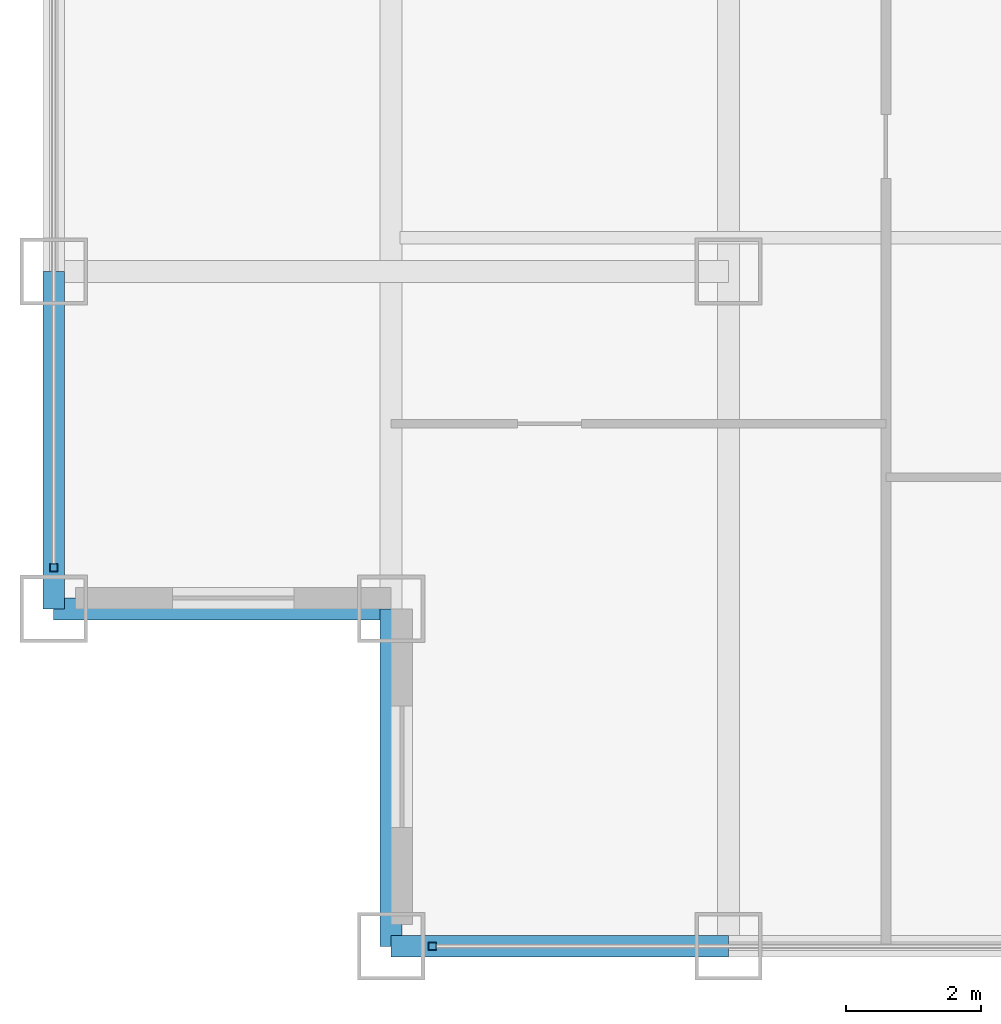
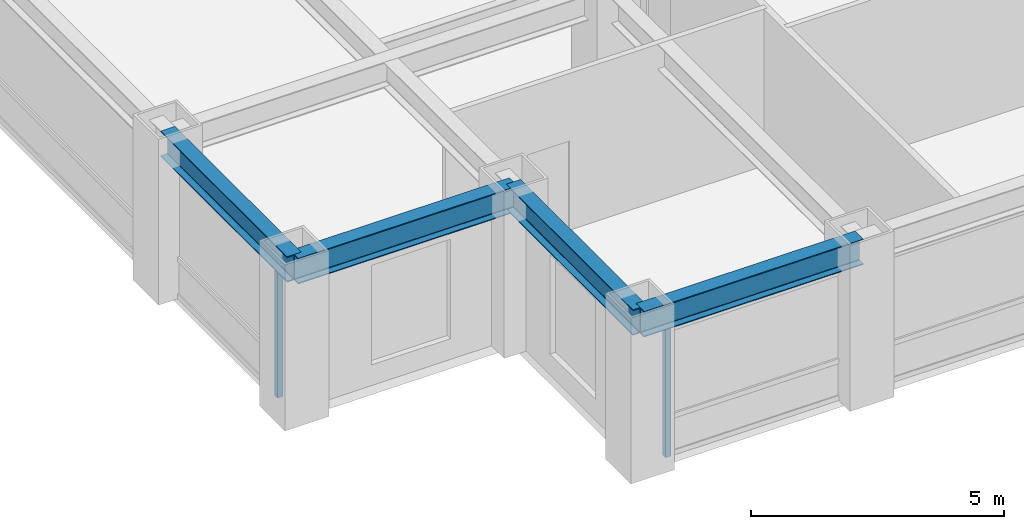
# One storey, part 2 of 24: 4 beams, 2 members, 2 elements without a shape of their own.
"""IFC4 building model written with IfcOpenShell, lengths in metres."""

from ifc_helpers import new_model, si_unit, direction, frame, origin, origin_2d, place, context, subcontext, project, spatial, hollow_rectangle, i_section, extrude, source, transform, mapped, material, material_profile, profile_set, type_object, element, aggregate, save


model = new_model("IFC4")

# Units and contexts
model_context = context("Model", 3, precision=1e-05, world=origin(), true_north=direction((0.0, 1.0)))
body_context = subcontext(model_context, "Body", "Model", "MODEL_VIEW")
ifc_project = project(units=[si_unit("LENGTHUNIT", "METRE"), si_unit("AREAUNIT", "SQUARE_METRE"), si_unit("VOLUMEUNIT", "CUBIC_METRE"), si_unit("PLANEANGLEUNIT", "RADIAN"), si_unit("MASSUNIT", "GRAM", prefix="KILO")], contexts=[model_context])

# Site, building, storey
site_placement = place(None, origin())
site = spatial("IfcSite", under=ifc_project, at=site_placement, CompositionType="ELEMENT")
building_placement = place(site_placement, origin())
building = spatial("IfcBuilding", under=site, at=building_placement, Name="Khorayat Bourse Tower", CompositionType="ELEMENT")
storey_placement = place(building_placement, frame((0.0, 0.0, 219.10009765625)))
storey = spatial("IfcBuildingStorey", under=building, at=storey_placement, Name="L51", CompositionType="ELEMENT", Elevation=219.10009765625)

# Beams
ifc_material_1 = material(Name="Steel ASTM A992 Grade 50", Category="steel")
ifc_material_profile_1 = material_profile(ifc_material_1, i_section(OverallWidth=0.324951171875, OverallDepth=0.615966796875, WebThickness=0.013916015625, FlangeThickness=0.021484375, FilletRadius=0.01611328125, at=origin_2d()), Name="W610X174")
ifc_profile_set_1 = profile_set([ifc_material_profile_1], Name="Steel ASTM A992 Grade 50")
beam_type = type_object("IfcBeamType", Name="BM-SPAN-610", PredefinedType="SPANDREL", material=ifc_profile_set_1)
shared_shape_1 = source(origin(), body_context, "Body", "SweptSolid", [
    extrude(i_section(OverallWidth=0.324951171875, OverallDepth=0.615966796875, WebThickness=0.013916015625, FlangeThickness=0.021484375, FilletRadius=0.01611328125, at=origin_2d()), origin(), (0.0, 0.0, 1.0), 5.0),
])
for number, where, z_axis, x_axis, name in (
    (1, (-25.0, -30.0, 3.471923828125), (1.0, 0.0, 0.0), (0.0, 1.0, 0.0), "L51 BM-SPAN-610 BM-L51-SPN-024"),
    (2, (-30.0, -25.0, 3.471923828125), (0.0, 1.0, 0.0), (-1.0, 0.0, 0.0), "L51 BM-SPAN-610 BM-L51-SPN-061"),
    (3, (-30.0, -25.0, 3.471923828125), (1.0, 0.0, 0.0), (0.0, 1.0, 0.0), "L51 BM-SPAN-610 BM-L51-SPN-062"),
    (4, (-25.0, -30.0, 3.471923828125), (0.0, 1.0, 0.0), (-1.0, 0.0, 0.0), "L51 BM-SPAN-610 BM-L51-SPN-063"),
):
    element("IfcBeam", number, at=place(storey_placement, frame(where, z_axis=z_axis, x_axis=x_axis)), inside=storey, type_object=beam_type, Name=name, PredefinedType="SPANDREL", context=body_context, shape_type="MappedRepresentation", body=[
        mapped(shared_shape_1, transform((0.0, 0.0, 0.0), scale=1.0)),
    ])

# Curtain wall, member
ifc_material_2 = material(Name="Aluminium EN AW-6063 T6", Category="aluminium")
curtain_wall_type = type_object("IfcCurtainWallType", Name="CW-SYS-03", PredefinedType="NOTDEFINED", material=ifc_material_2)
curtain_wall_1_placement = place(storey_placement, origin())
curtain_wall_1 = element("IfcCurtainWall", 5, at=curtain_wall_1_placement, inside=storey, type_object=curtain_wall_type, Name="L51 Curtain Wall CW-L51-S1", PredefinedType="NOTDEFINED")
ifc_material_profile_2 = material_profile(ifc_material_2, hollow_rectangle(XDim=0.1201171875, YDim=0.1201171875, WallThickness=0.0048828125, at=origin_2d()), Name="ALU 120x120x5")
ifc_profile_set_2 = profile_set([ifc_material_profile_2], Name="Aluminium EN AW-6063 T6")
member_type = type_object("IfcMemberType", Name="CWM-VERT-120", PredefinedType="MULLION", material=ifc_profile_set_2)
shared_shape_2 = source(origin(), body_context, "Body", "SweptSolid", [
    extrude(hollow_rectangle(XDim=0.1201171875, YDim=0.1201171875, WallThickness=0.0048828125, at=origin_2d()), origin(), (0.0, 0.0, 1.0), 3.1298828125),
])
member_1_placement = place(storey_placement, frame((-24.389892578125, -30.0, 0.0), z_axis=(0.0, 0.0, 1.0), x_axis=(0.0, 1.0, 0.0)))
member_1 = element("IfcMember", 6, at=member_1_placement, type_object=member_type, Name="CW-L51-S1 Vertical Mullion 1", PredefinedType="MULLION", context=body_context, shape_type="MappedRepresentation", body=[
    mapped(shared_shape_2, transform((0.0, 0.0, 0.0), scale=1.0)),
])
aggregate(curtain_wall_1, [member_1])

curtain_wall_2_placement = place(storey_placement, origin())
curtain_wall_2 = element("IfcCurtainWall", 7, at=curtain_wall_2_placement, inside=storey, type_object=curtain_wall_type, Name="L51 Curtain Wall CW-L51-W1", PredefinedType="NOTDEFINED")
member_2_placement = place(storey_placement, frame((-30.0, -24.389892578125, 0.0), z_axis=(0.0, 0.0, 1.0), x_axis=(-1.0, 0.0, 0.0)))
member_2 = element("IfcMember", 8, at=member_2_placement, type_object=member_type, Name="CW-L51-W1 Vertical Mullion 1", PredefinedType="MULLION", context=body_context, shape_type="MappedRepresentation", body=[
    mapped(shared_shape_2, transform((0.0, 0.0, 0.0), scale=1.0)),
])
aggregate(curtain_wall_2, [member_2])

save(model, "model.ifc")
